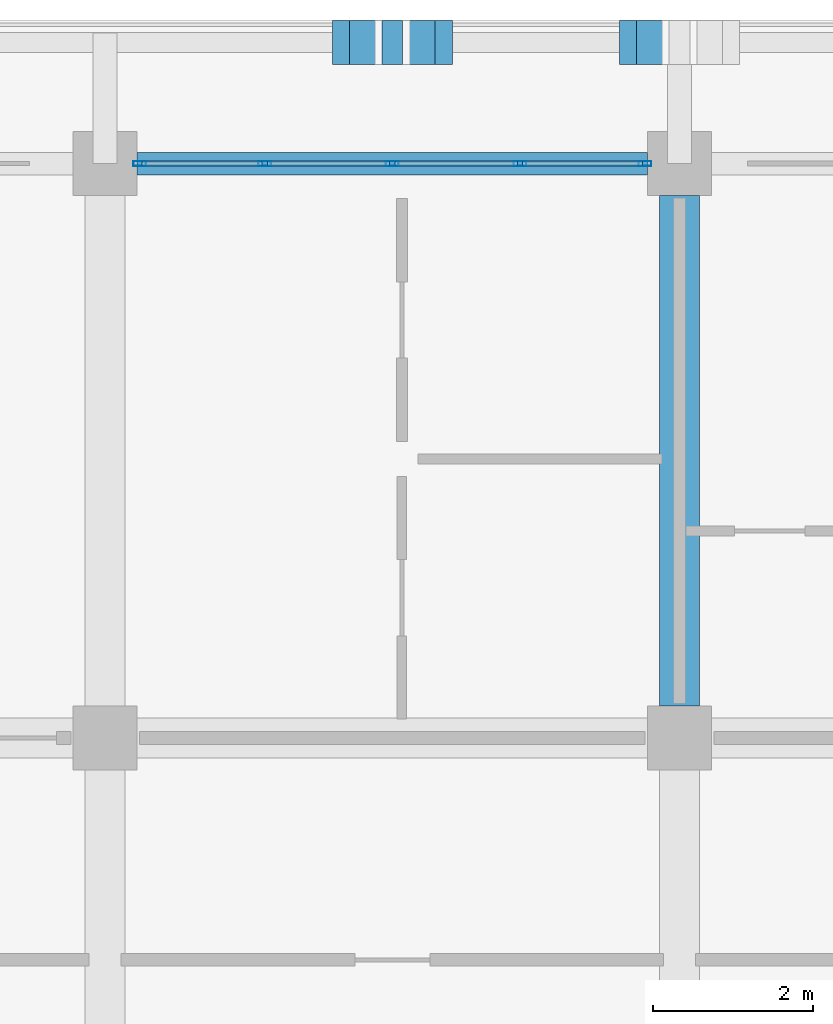
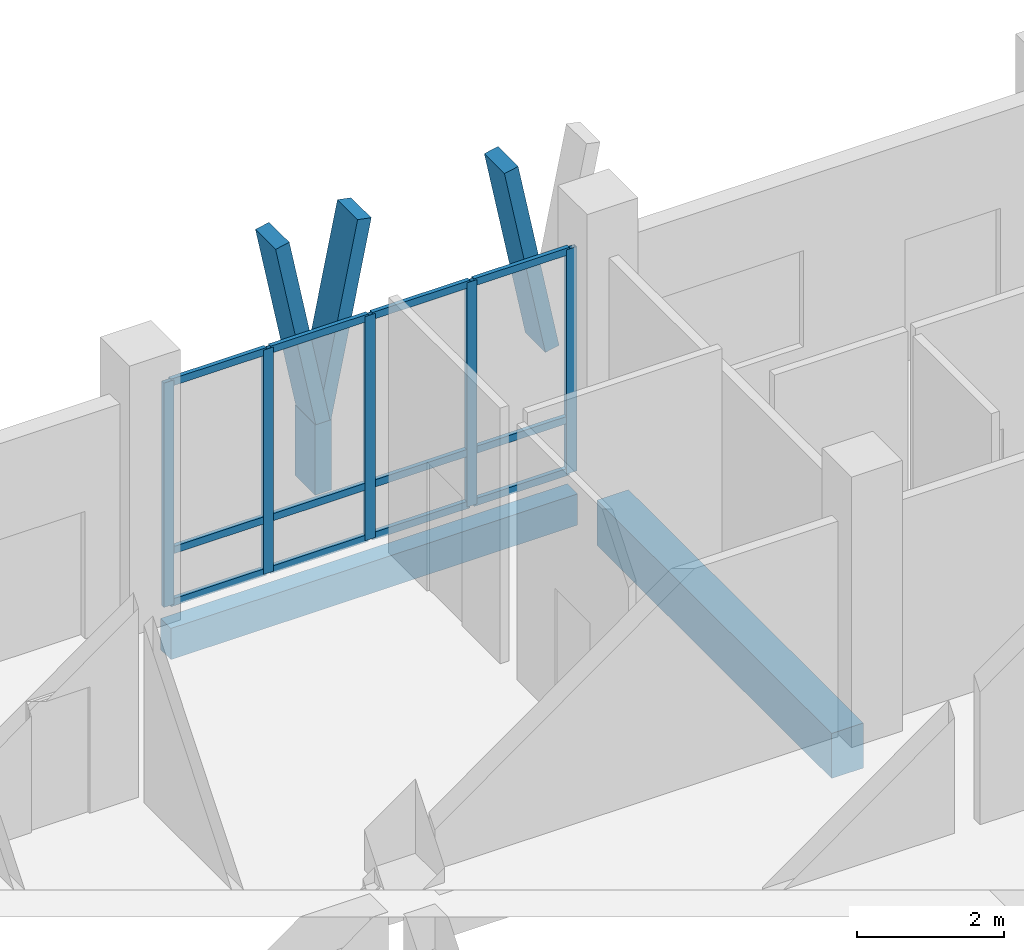
# One storey, part 43 of 110: 21 members, 2 beams, 1 element without a shape of its own.
"""IFC4 building model written with IfcOpenShell, lengths in metres."""

from ifc_helpers import new_model, si_unit, direction, frame, origin, origin_2d, place, context, subcontext, project, spatial, rectangle, hollow_rectangle, extrude, material, material_profile, profile_set, type_object, element, aggregate, save


model = new_model("IFC4")

# Units and contexts
model_context = context("Model", 3, precision=1e-05, world=origin(), true_north=direction((0.0, 1.0)))
body_context = subcontext(model_context, "Body", "Model", "MODEL_VIEW")
ifc_project = project(units=[si_unit("LENGTHUNIT", "METRE"), si_unit("AREAUNIT", "SQUARE_METRE"), si_unit("VOLUMEUNIT", "CUBIC_METRE"), si_unit("PLANEANGLEUNIT", "RADIAN"), si_unit("MASSUNIT", "GRAM", prefix="KILO")], contexts=[model_context])

# Site, building, storey
site_placement = place(None, origin())
site = spatial("IfcSite", under=ifc_project, at=site_placement, CompositionType="ELEMENT")
building_placement = place(site_placement, origin())
building = spatial("IfcBuilding", under=site, at=building_placement, Name="Suanplinth Sawtooth Commons", CompositionType="ELEMENT")
storey_placement = place(building_placement, frame((0.0, 0.0, 4.5)))
storey = spatial("IfcBuildingStorey", under=building, at=storey_placement, Name="L01", CompositionType="ELEMENT", Elevation=4.5)

# Beams
ifc_material_1 = material(Name="Concrete C40/50", Category="concrete")
ifc_material_profile_1 = material_profile(ifc_material_1, rectangle(XDim=0.5, YDim=0.75, at=origin_2d()), Name="RC-GDR 500x750")
ifc_profile_set_1 = profile_set([ifc_material_profile_1], Name="Concrete C40/50")
beam_type_1 = type_object("IfcBeamType", Name="B-03", PredefinedType="USERDEFINED", material=ifc_profile_set_1)
beam_1_placement = place(storey_placement, frame((86.39990234375, 115.60009765625, -0.675048828125), z_axis=(0.0, 1.0, 0.0), x_axis=(-1.0, 0.0, 0.0)))
element("IfcBeam", 1, at=beam_1_placement, inside=storey, type_object=beam_type_1, Name="BMY-L01-A-12-16", ObjectType="GIRDER", PredefinedType="USERDEFINED", context=body_context, shape_type="SweptSolid", body=[
    extrude(rectangle(XDim=0.5, YDim=0.75, at=origin_2d()), origin(), (0.0, 0.0, 1.0), 6.39990234375),
])
ifc_material_2 = material(Name="Precast concrete C40/50", Category="concrete")
ifc_material_profile_2 = material_profile(ifc_material_2, rectangle(XDim=0.280029296875, YDim=0.52001953125, at=origin_2d()), Name="PC-SP 280x520")
ifc_profile_set_2 = profile_set([ifc_material_profile_2], Name="Precast concrete C40/50")
beam_type_2 = type_object("IfcBeamType", Name="B-08", PredefinedType="SPANDREL", material=ifc_profile_set_2)
beam_2_placement = place(storey_placement, frame((79.60009765625, 122.39990234375, -0.56005859375), z_axis=(1.0, 0.0, 0.0), x_axis=(0.0, 1.0, 0.0)))
element("IfcBeam", 2, at=beam_2_placement, inside=storey, type_object=beam_type_2, Name="BMX-L01-A-11-17", PredefinedType="SPANDREL", context=body_context, shape_type="SweptSolid", body=[
    extrude(rectangle(XDim=0.280029296875, YDim=0.52001953125, at=origin_2d()), origin(), (0.0, 0.0, 1.0), 6.39990234375),
])

# Members
ifc_material_3 = material(Name="Pigmented precast concrete C40/50", Category="concrete")
ifc_material_profile_3 = material_profile(ifc_material_3, rectangle(XDim=0.260009765625, YDim=0.550048828125, at=origin_2d()), Name="PC-FIN 260x550")
ifc_profile_set_3 = profile_set([ifc_material_profile_3], Name="Pigmented precast concrete C40/50")
member_type_1 = type_object("IfcMemberType", Name="M-09", PredefinedType="USERDEFINED", material=ifc_profile_set_3)
member_1_placement = place(storey_placement, frame((82.800048828125, 123.919921875, 0.0), z_axis=(0.0, 0.0, 1.0), x_axis=(1.0, 0.0, 0.0)))
element("IfcMember", 3, at=member_1_placement, inside=storey, type_object=member_type_1, Name="Y-Blade Stem L01-A-N-08", ObjectType="SHADING FIN", PredefinedType="USERDEFINED", context=body_context, shape_type="SweptSolid", body=[
    extrude(rectangle(XDim=0.260009765625, YDim=0.550048828125, at=origin_2d()), origin(), (0.0, 0.0, 1.0), 1.169921875),
])
ifc_material_profile_4 = material_profile(ifc_material_3, rectangle(XDim=0.219970703125, YDim=0.550048828125, at=origin_2d()), Name="PC-FIN 220x550")
ifc_profile_set_4 = profile_set([ifc_material_profile_4], Name="Pigmented precast concrete C40/50")
member_type_2 = type_object("IfcMemberType", Name="M-10", PredefinedType="USERDEFINED", material=ifc_profile_set_4)
member_2_placement = place(storey_placement, frame((82.800048828125, 123.919921875, 1.1298828125), z_axis=(-0.197582858822, 0.0, 0.980286189793), x_axis=(0.980286189793, 0.0, 0.197582858822)))
element("IfcMember", 4, at=member_2_placement, inside=storey, type_object=member_type_2, Name="Y-Blade Arm L L01-A-N-08", ObjectType="SHADING FIN", PredefinedType="USERDEFINED", context=body_context, shape_type="SweptSolid", body=[
    extrude(rectangle(XDim=0.219970703125, YDim=0.550048828125, at=origin_2d()), origin(), (0.0, 0.0, 1.0), 3.2646484375),
])
for number, where, z_axis, x_axis, name in (
    (5, (82.800048828125, 123.919921875, 1.1298828125), (0.197510991436, 0.0, 0.980300672377), (-0.980300672377, 0.0, 0.197510991436), "Y-Blade Arm R L01-A-N-08"),
    (6, (86.39990234375, 123.919921875, 1.1298828125), (-0.197510991436, 0.0, 0.980300672377), (0.980300672377, 0.0, 0.197510991436), "Y-Blade Arm L L01-A-N-09"),
):
    element("IfcMember", number, at=place(storey_placement, frame(where, z_axis=z_axis, x_axis=x_axis)), inside=storey, type_object=member_type_2, Name=name, ObjectType="SHADING FIN", PredefinedType="USERDEFINED", context=body_context, shape_type="SweptSolid", body=[
        extrude(rectangle(XDim=0.219970703125, YDim=0.550048828125, at=origin_2d()), origin(), (0.0, 0.0, 1.0), 3.264404296875),
    ])

# Curtain wall, members
ifc_material_4 = material(Name="Anodized aluminium and low-E glazing", Category="aluminium")
curtain_wall_type = type_object("IfcCurtainWallType", Name="CW-06", PredefinedType="USERDEFINED", material=ifc_material_4)
curtain_wall_placement = place(storey_placement, origin())
curtain_wall = element("IfcCurtainWall", 7, at=curtain_wall_placement, inside=storey, type_object=curtain_wall_type, Name="Curtain Wall CW-L01-A-LOUNGE-11", ObjectType="CURTAIN WALL", PredefinedType="USERDEFINED")
ifc_material_5 = material(Name="Anodized aluminium 6063-T6", Category="aluminium")
ifc_material_profile_5 = material_profile(ifc_material_5, hollow_rectangle(XDim=0.06494140625, YDim=0.159912109375, WallThickness=0.00390625, at=origin_2d()), Name="ALU-MUL 65x160")
ifc_profile_set_5 = profile_set([ifc_material_profile_5], Name="Anodized aluminium 6063-T6")
member_type_3 = type_object("IfcMemberType", Name="M-13", PredefinedType="MULLION", material=ifc_profile_set_5)
member_3_placement = place(storey_placement, frame((79.632568359375, 122.39990234375, 0.0), z_axis=(0.0, 0.0, 1.0), x_axis=(0.0, 1.0, 0.0)))
member_3 = element("IfcMember", 8, at=member_3_placement, type_object=member_type_3, Name="CW-06 mullion 1", PredefinedType="MULLION", context=body_context, shape_type="SweptSolid", body=[
    extrude(hollow_rectangle(XDim=0.06494140625, YDim=0.159912109375, WallThickness=0.00390625, at=origin_2d()), origin(), (0.0, 0.0, 1.0), 3.72998046875),
])
member_4_placement = place(storey_placement, frame((81.199951171875, 122.39990234375, 0.0), z_axis=(0.0, 0.0, 1.0), x_axis=(0.0, 1.0, 0.0)))
member_4 = element("IfcMember", 9, at=member_4_placement, type_object=member_type_3, Name="CW-06 mullion 2", PredefinedType="MULLION", context=body_context, shape_type="SweptSolid", body=[
    extrude(hollow_rectangle(XDim=0.06494140625, YDim=0.159912109375, WallThickness=0.00390625, at=origin_2d()), origin(), (0.0, 0.0, 1.0), 3.72998046875),
])
member_5_placement = place(storey_placement, frame((82.800048828125, 122.39990234375, 0.0), z_axis=(0.0, 0.0, 1.0), x_axis=(0.0, 1.0, 0.0)))
member_5 = element("IfcMember", 10, at=member_5_placement, type_object=member_type_3, Name="CW-06 mullion 3", PredefinedType="MULLION", context=body_context, shape_type="SweptSolid", body=[
    extrude(hollow_rectangle(XDim=0.06494140625, YDim=0.159912109375, WallThickness=0.00390625, at=origin_2d()), origin(), (0.0, 0.0, 1.0), 3.72998046875),
])
member_6_placement = place(storey_placement, frame((84.39990234375, 122.39990234375, 0.0), z_axis=(0.0, 0.0, 1.0), x_axis=(0.0, 1.0, 0.0)))
member_6 = element("IfcMember", 11, at=member_6_placement, type_object=member_type_3, Name="CW-06 mullion 4", PredefinedType="MULLION", context=body_context, shape_type="SweptSolid", body=[
    extrude(hollow_rectangle(XDim=0.06494140625, YDim=0.159912109375, WallThickness=0.00390625, at=origin_2d()), origin(), (0.0, 0.0, 1.0), 3.72998046875),
])
member_7_placement = place(storey_placement, frame((85.967529296875, 122.39990234375, 0.0), z_axis=(0.0, 0.0, 1.0), x_axis=(0.0, 1.0, 0.0)))
member_7 = element("IfcMember", 12, at=member_7_placement, type_object=member_type_3, Name="CW-06 mullion 5", PredefinedType="MULLION", context=body_context, shape_type="SweptSolid", body=[
    extrude(hollow_rectangle(XDim=0.06494140625, YDim=0.159912109375, WallThickness=0.00390625, at=origin_2d()), origin(), (0.0, 0.0, 1.0), 3.72998046875),
])
ifc_material_profile_6 = material_profile(ifc_material_5, hollow_rectangle(XDim=0.06494140625, YDim=0.1201171875, WallThickness=0.00390625, at=origin_2d()), Name="ALU-TRN 65x120")
ifc_profile_set_6 = profile_set([ifc_material_profile_6], Name="Anodized aluminium 6063-T6")
member_type_4 = type_object("IfcMemberType", Name="M-15", PredefinedType="USERDEFINED", material=ifc_profile_set_6)
member_8_placement = place(storey_placement, frame((79.6650390625, 122.39990234375, 0.032470703125), z_axis=(1.0, 0.0, 0.0), x_axis=(0.0, 1.0, 0.0)))
member_8 = element("IfcMember", 13, at=member_8_placement, type_object=member_type_4, Name="CW-06 transom 1.1", ObjectType="TRANSOM", PredefinedType="USERDEFINED", context=body_context, shape_type="SweptSolid", body=[
    extrude(hollow_rectangle(XDim=0.06494140625, YDim=0.1201171875, WallThickness=0.00390625, at=origin_2d()), origin(), (0.0, 0.0, 1.0), 1.50244140625),
])
member_9_placement = place(storey_placement, frame((79.6650390625, 122.39990234375, 0.89990234375), z_axis=(1.0, 0.0, 0.0), x_axis=(0.0, 1.0, 0.0)))
member_9 = element("IfcMember", 14, at=member_9_placement, type_object=member_type_4, Name="CW-06 transom 1.2", ObjectType="TRANSOM", PredefinedType="USERDEFINED", context=body_context, shape_type="SweptSolid", body=[
    extrude(hollow_rectangle(XDim=0.06494140625, YDim=0.1201171875, WallThickness=0.00390625, at=origin_2d()), origin(), (0.0, 0.0, 1.0), 1.50244140625),
])
member_10_placement = place(storey_placement, frame((79.6650390625, 122.39990234375, 3.697509765625), z_axis=(1.0, 0.0, 0.0), x_axis=(0.0, 1.0, 0.0)))
member_10 = element("IfcMember", 15, at=member_10_placement, type_object=member_type_4, Name="CW-06 transom 1.3", ObjectType="TRANSOM", PredefinedType="USERDEFINED", context=body_context, shape_type="SweptSolid", body=[
    extrude(hollow_rectangle(XDim=0.06494140625, YDim=0.1201171875, WallThickness=0.00390625, at=origin_2d()), origin(), (0.0, 0.0, 1.0), 1.50244140625),
])
member_11_placement = place(storey_placement, frame((81.232421875, 122.39990234375, 0.032470703125), z_axis=(1.0, 0.0, 0.0), x_axis=(0.0, 1.0, 0.0)))
member_11 = element("IfcMember", 16, at=member_11_placement, type_object=member_type_4, Name="CW-06 transom 2.1", ObjectType="TRANSOM", PredefinedType="USERDEFINED", context=body_context, shape_type="SweptSolid", body=[
    extrude(hollow_rectangle(XDim=0.06494140625, YDim=0.1201171875, WallThickness=0.00390625, at=origin_2d()), origin(), (0.0, 0.0, 1.0), 1.53515625),
])
member_12_placement = place(storey_placement, frame((81.232421875, 122.39990234375, 0.89990234375), z_axis=(1.0, 0.0, 0.0), x_axis=(0.0, 1.0, 0.0)))
member_12 = element("IfcMember", 17, at=member_12_placement, type_object=member_type_4, Name="CW-06 transom 2.2", ObjectType="TRANSOM", PredefinedType="USERDEFINED", context=body_context, shape_type="SweptSolid", body=[
    extrude(hollow_rectangle(XDim=0.06494140625, YDim=0.1201171875, WallThickness=0.00390625, at=origin_2d()), origin(), (0.0, 0.0, 1.0), 1.53515625),
])
member_13_placement = place(storey_placement, frame((81.232421875, 122.39990234375, 3.697509765625), z_axis=(1.0, 0.0, 0.0), x_axis=(0.0, 1.0, 0.0)))
member_13 = element("IfcMember", 18, at=member_13_placement, type_object=member_type_4, Name="CW-06 transom 2.3", ObjectType="TRANSOM", PredefinedType="USERDEFINED", context=body_context, shape_type="SweptSolid", body=[
    extrude(hollow_rectangle(XDim=0.06494140625, YDim=0.1201171875, WallThickness=0.00390625, at=origin_2d()), origin(), (0.0, 0.0, 1.0), 1.53515625),
])
member_14_placement = place(storey_placement, frame((82.83251953125, 122.39990234375, 0.032470703125), z_axis=(1.0, 0.0, 0.0), x_axis=(0.0, 1.0, 0.0)))
member_14 = element("IfcMember", 19, at=member_14_placement, type_object=member_type_4, Name="CW-06 transom 3.1", ObjectType="TRANSOM", PredefinedType="USERDEFINED", context=body_context, shape_type="SweptSolid", body=[
    extrude(hollow_rectangle(XDim=0.06494140625, YDim=0.1201171875, WallThickness=0.00390625, at=origin_2d()), origin(), (0.0, 0.0, 1.0), 1.534912109375),
])
member_15_placement = place(storey_placement, frame((82.83251953125, 122.39990234375, 0.89990234375), z_axis=(1.0, 0.0, 0.0), x_axis=(0.0, 1.0, 0.0)))
member_15 = element("IfcMember", 20, at=member_15_placement, type_object=member_type_4, Name="CW-06 transom 3.2", ObjectType="TRANSOM", PredefinedType="USERDEFINED", context=body_context, shape_type="SweptSolid", body=[
    extrude(hollow_rectangle(XDim=0.06494140625, YDim=0.1201171875, WallThickness=0.00390625, at=origin_2d()), origin(), (0.0, 0.0, 1.0), 1.534912109375),
])
member_16_placement = place(storey_placement, frame((82.83251953125, 122.39990234375, 3.697509765625), z_axis=(1.0, 0.0, 0.0), x_axis=(0.0, 1.0, 0.0)))
member_16 = element("IfcMember", 21, at=member_16_placement, type_object=member_type_4, Name="CW-06 transom 3.3", ObjectType="TRANSOM", PredefinedType="USERDEFINED", context=body_context, shape_type="SweptSolid", body=[
    extrude(hollow_rectangle(XDim=0.06494140625, YDim=0.1201171875, WallThickness=0.00390625, at=origin_2d()), origin(), (0.0, 0.0, 1.0), 1.534912109375),
])
member_17_placement = place(storey_placement, frame((84.4326171875, 122.39990234375, 0.032470703125), z_axis=(1.0, 0.0, 0.0), x_axis=(0.0, 1.0, 0.0)))
member_17 = element("IfcMember", 22, at=member_17_placement, type_object=member_type_4, Name="CW-06 transom 4.1", ObjectType="TRANSOM", PredefinedType="USERDEFINED", context=body_context, shape_type="SweptSolid", body=[
    extrude(hollow_rectangle(XDim=0.06494140625, YDim=0.1201171875, WallThickness=0.00390625, at=origin_2d()), origin(), (0.0, 0.0, 1.0), 1.50244140625),
])
member_18_placement = place(storey_placement, frame((84.4326171875, 122.39990234375, 0.89990234375), z_axis=(1.0, 0.0, 0.0), x_axis=(0.0, 1.0, 0.0)))
member_18 = element("IfcMember", 23, at=member_18_placement, type_object=member_type_4, Name="CW-06 transom 4.2", ObjectType="TRANSOM", PredefinedType="USERDEFINED", context=body_context, shape_type="SweptSolid", body=[
    extrude(hollow_rectangle(XDim=0.06494140625, YDim=0.1201171875, WallThickness=0.00390625, at=origin_2d()), origin(), (0.0, 0.0, 1.0), 1.50244140625),
])
member_19_placement = place(storey_placement, frame((84.4326171875, 122.39990234375, 3.697509765625), z_axis=(1.0, 0.0, 0.0), x_axis=(0.0, 1.0, 0.0)))
member_19 = element("IfcMember", 24, at=member_19_placement, type_object=member_type_4, Name="CW-06 transom 4.3", ObjectType="TRANSOM", PredefinedType="USERDEFINED", context=body_context, shape_type="SweptSolid", body=[
    extrude(hollow_rectangle(XDim=0.06494140625, YDim=0.1201171875, WallThickness=0.00390625, at=origin_2d()), origin(), (0.0, 0.0, 1.0), 1.50244140625),
])
aggregate(curtain_wall, [member_3, member_4, member_5, member_6, member_7, member_8, member_9, member_10, member_11, member_12, member_13, member_14, member_15, member_16, member_17, member_18, member_19])

save(model, "model.ifc")
